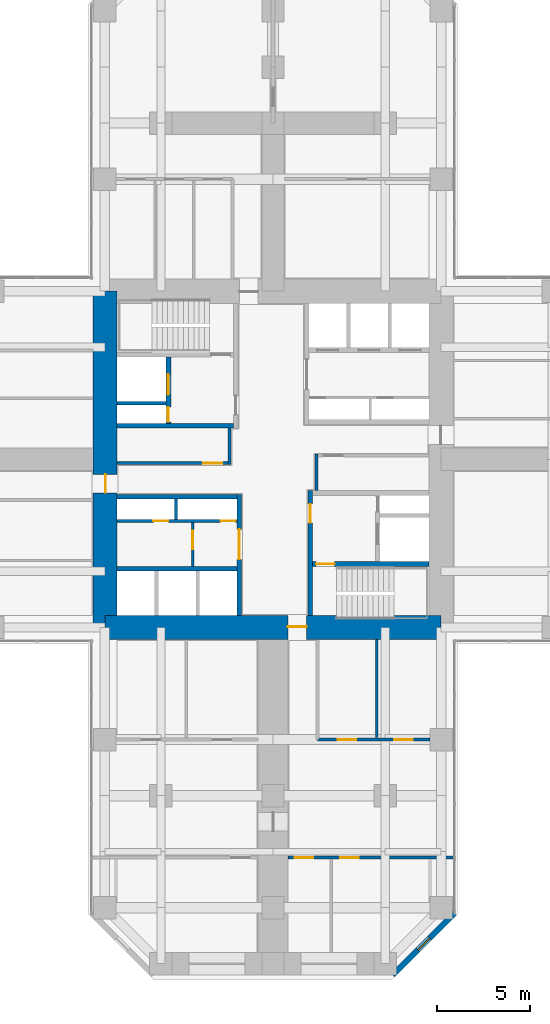
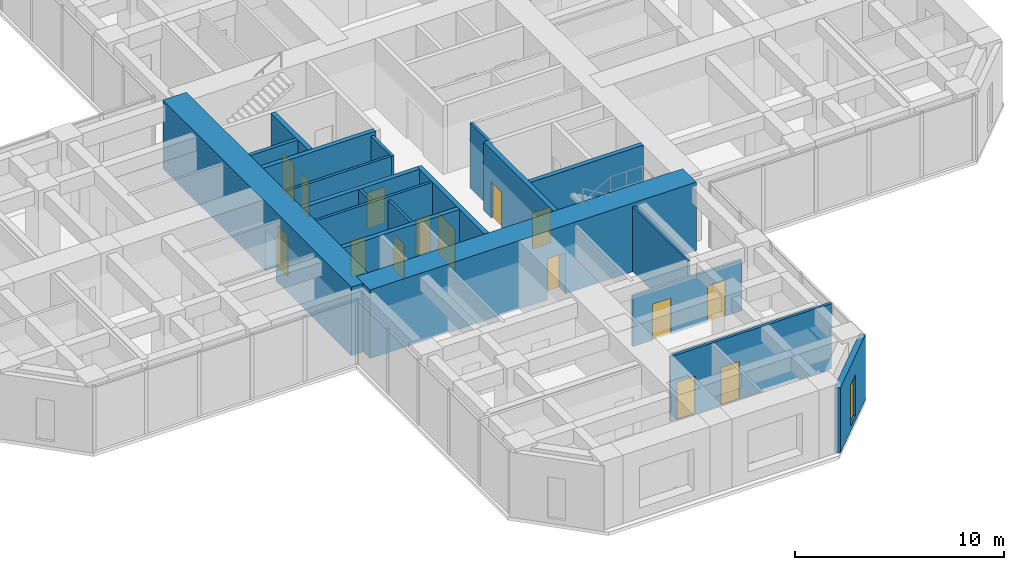
# One storey, part 9 of 13: 20 walls, 15 doors, 1 window, 16 openings.
"""IFC4 building model written with IfcOpenShell, lengths in metres."""

from ifc_helpers import new_model, si_unit, direction, frame, frame_2d, origin, place, context, subcontext, project, spatial, rectangle, hollow_rectangle, extrude, material, layer, layer_set, constituent, constituent_set, type_object, element, fill, save


model = new_model("IFC4")

# Units and contexts
model_context = context("Model", 3, precision=1e-05, world=origin(), true_north=direction((0.0, 1.0)))
body_context = subcontext(model_context, "Body", "Model", "MODEL_VIEW")
ifc_project = project(units=[si_unit("LENGTHUNIT", "METRE"), si_unit("AREAUNIT", "SQUARE_METRE"), si_unit("VOLUMEUNIT", "CUBIC_METRE"), si_unit("PLANEANGLEUNIT", "RADIAN"), si_unit("MASSUNIT", "GRAM", prefix="KILO")], contexts=[model_context])

# Site, building, storey
site_placement = place(None, origin())
site = spatial("IfcSite", under=ifc_project, at=site_placement, CompositionType="ELEMENT")
building_placement = place(site_placement, origin())
building = spatial("IfcBuilding", under=site, at=building_placement, Name="Torre Cruceta", CompositionType="ELEMENT")
storey_placement = place(building_placement, frame((0.0, 0.0, 51.5)))
storey = spatial("IfcBuildingStorey", under=building, at=storey_placement, Name="L12", CompositionType="ELEMENT", Elevation=51.5)

# Wall
ifc_material_1 = material(Name="Concrete G60 (fck 60 MPa)", Category="concrete")
ifc_layer_1 = layer(ifc_material_1, 0.25)
ifc_layer_set_1 = layer_set([ifc_layer_1], Name="Concrete G60 (fck 60 MPa)")
wall_type_1 = type_object("IfcWallType", Name="CORE INNER WALL 250 G60", PredefinedType="SHEAR", material=ifc_layer_set_1)
wall_1_placement = place(storey_placement, frame((-2.125, 1.800048828125, 0.0), z_axis=(0.0, 0.0, 1.0), x_axis=(-1.0, 0.0, 0.0)))
element("IfcWall", 1, at=wall_1_placement, inside=storey, type_object=wall_type_1, Name="CW4 L12 NW-CV", PredefinedType="SHEAR", context=body_context, shape_type="SweptSolid", body=[
    extrude(rectangle(XDim=6.22509765625, YDim=0.25, at=frame_2d((3.112548828125, 0.0))), origin(), (0.0, 0.0, 1.0), 4.0),
])

# Wall, openings, doors
wall_2_placement = place(storey_placement, frame((-5.60009765625, 1.925048828125, 0.0), z_axis=(0.0, 0.0, 1.0), x_axis=(0.0, 1.0, 0.0)))
wall_2 = element("IfcWall", 2, at=wall_2_placement, inside=storey, type_object=wall_type_1, Name="CW4 L12 NW-FU", PredefinedType="SHEAR", context=body_context, shape_type="SweptSolid", body=[
    extrude(rectangle(XDim=3.550048828125, YDim=0.25, at=frame_2d((1.77490234375, 0.0))), origin(), (0.0, 0.0, 1.0), 4.0),
])
opening_1_placement = place(wall_2_placement, frame((1.52490234375, 0.0, 0.0)))
opening_1 = element("IfcOpeningElement", 3, at=opening_1_placement, cuts=wall_2, Name="Opening LD1", PredefinedType="OPENING", context=body_context, shape_type="SweptSolid", body=[
    extrude(rectangle(XDim=1.10009765625, YDim=2.199951171875, at=frame_2d((0.550048828125, 1.10009765625))), frame((0.0, 0.135009765625, 0.0), z_axis=(0.0, -1.0, 0.0), x_axis=(1.0, 0.0, 0.0)), (0.0, 0.0, 1.0), 0.27001953125),
])
opening_2_placement = place(wall_2_placement, frame((0.074951171875, 0.0, 0.0)))
opening_2 = element("IfcOpeningElement", 4, at=opening_2_placement, cuts=wall_2, Name="Opening D5", PredefinedType="OPENING", context=body_context, shape_type="SweptSolid", body=[
    extrude(rectangle(XDim=0.800048828125, YDim=2.10009765625, at=frame_2d((0.39990234375, 1.050048828125))), frame((0.0, 0.135009765625, 0.0), z_axis=(0.0, -1.0, 0.0), x_axis=(1.0, 0.0, 0.0)), (0.0, 0.0, 1.0), 0.27001953125),
])
ifc_material_2 = material(Name="Stainless steel 1.4401", Category="steel")
door_type_1 = type_object("IfcDoorType", Name="LIFT LANDING DOOR 1100X2200", OperationType="DOUBLE_DOOR_SLIDING", PredefinedType="DOOR", material=ifc_material_2)
door_1_placement = place(opening_1_placement, origin())
door_1 = element("IfcDoor", 5, at=door_1_placement, inside=storey, type_object=door_type_1, Name="Lift landing door FL1", OperationType="DOUBLE_DOOR_SLIDING", OverallHeight=2.199951171875, OverallWidth=1.10009765625, PredefinedType="DOOR", context=body_context, shape_type="SweptSolid", body=[
    extrude(rectangle(XDim=1.10009765625, YDim=2.199951171875, at=frame_2d((0.550048828125, 1.10009765625))), frame((0.0, 0.02490234375, 0.0), z_axis=(0.0, -1.0, 0.0), x_axis=(1.0, 0.0, 0.0)), (0.0, 0.0, 1.0), 0.050048828125),
])
fill(opening_1, door_1)
ifc_material_3 = material(Name="Steel DX51D", Category="steel")
ifc_constituent_1 = constituent(ifc_material_3, Name="Leaf and frame")
ifc_material_4 = material(Name="Polyester powder coating", Category="paint")
ifc_constituent_2 = constituent(ifc_material_4, Name="Finish")
ifc_constituent_set_1 = constituent_set(constituents=[ifc_constituent_1, ifc_constituent_2], Name="Steel fire door")
door_type_2 = type_object("IfcDoorType", Name="RISER ACCESS DOOR 800X2100", OperationType="SINGLE_SWING_LEFT", PredefinedType="DOOR", material=ifc_constituent_set_1)
door_2_placement = place(opening_2_placement, origin())
door_2 = element("IfcDoor", 6, at=door_2_placement, inside=storey, type_object=door_type_2, Name="D5 L12 NW-RISER", OperationType="SINGLE_SWING_LEFT", OverallHeight=2.10009765625, OverallWidth=0.800048828125, PredefinedType="DOOR", context=body_context, shape_type="SweptSolid", body=[
    extrude(rectangle(XDim=0.800048828125, YDim=2.10009765625, at=frame_2d((0.39990234375, 1.050048828125))), frame((0.0, 0.02490234375, 0.0), z_axis=(0.0, -1.0, 0.0), x_axis=(1.0, 0.0, 0.0)), (0.0, 0.0, 1.0), 0.050048828125),
])
fill(opening_2, door_2)

# Wall, opening, door
wall_3_placement = place(storey_placement, frame((-1.800048828125, -1.875, 0.0), z_axis=(0.0, 0.0, 1.0), x_axis=(0.0, -1.0, 0.0)))
wall_3 = element("IfcWall", 7, at=wall_3_placement, inside=storey, type_object=wall_type_1, Name="CW4 L12 SW-CU", PredefinedType="SHEAR", context=body_context, shape_type="SweptSolid", body=[
    extrude(rectangle(XDim=6.47509765625, YDim=0.25, at=frame_2d((3.237548828125, 0.0))), origin(), (0.0, 0.0, 1.0), 4.0),
])
opening_3_placement = place(wall_3_placement, frame((1.875, 0.0, 0.0)))
opening_3 = element("IfcOpeningElement", 8, at=opening_3_placement, cuts=wall_3, Name="Opening D15", PredefinedType="OPENING", context=body_context, shape_type="SweptSolid", body=[
    extrude(rectangle(XDim=1.60009765625, YDim=2.39990234375, at=frame_2d((0.800048828125, 1.199951171875))), frame((0.0, 0.135009765625, 0.0), z_axis=(0.0, -1.0, 0.0), x_axis=(1.0, 0.0, 0.0)), (0.0, 0.0, 1.0), 0.27001953125),
])
ifc_material_5 = material(Name="Steel DX51D", Category="steel")
ifc_constituent_3 = constituent(ifc_material_5, Name="Leaf and frame")
ifc_material_6 = material(Name="Polyester powder coating", Category="paint")
ifc_constituent_4 = constituent(ifc_material_6, Name="Finish")
ifc_constituent_set_2 = constituent_set(constituents=[ifc_constituent_3, ifc_constituent_4], Name="Steel fire door")
door_type_3 = type_object("IfcDoorType", Name="CORE ROOM DOUBLE DOOR 1600X2400", OperationType="DOUBLE_DOOR_SINGLE_SWING", PredefinedType="DOOR", material=ifc_constituent_set_2)
door_3_placement = place(opening_3_placement, frame((1.60009765625, 0.0, 0.0), z_axis=(0.0, 0.0, 1.0), x_axis=(-1.0, 0.0, 0.0)))
door_3 = element("IfcDoor", 9, at=door_3_placement, inside=storey, type_object=door_type_3, Name="D15 L12 SW-LOBBY", OperationType="DOUBLE_DOOR_SINGLE_SWING", OverallHeight=2.39990234375, OverallWidth=1.60009765625, PredefinedType="DOOR", context=body_context, shape_type="SweptSolid", body=[
    extrude(rectangle(XDim=1.60009765625, YDim=2.39990234375, at=frame_2d((0.800048828125, 1.199951171875))), frame((0.0, 0.025146484375, 0.0), z_axis=(0.0, -1.0, 0.0), x_axis=(1.0, 0.0, 0.0)), (0.0, 0.0, 1.0), 0.050048828125),
])
fill(opening_3, door_3)

# Walls
for number, where, z_axis, x_axis, name in (
    (10, (-1.925048828125, -2.0, 0.0), (0.0, 0.0, 1.0), (-1.0, 0.0, 0.0), "CW4 L12 SW-CV"),
    (11, (-1.925048828125, -5.85009765625, 0.0), (0.0, 0.0, 1.0), (-1.0, 0.0, 0.0), "CW4 L12 SW-LV"),
):
    element("IfcWall", number, at=place(storey_placement, frame(where, z_axis=z_axis, x_axis=x_axis)), inside=storey, type_object=wall_type_1, Name=name, PredefinedType="SHEAR", context=body_context, shape_type="SweptSolid", body=[
        extrude(rectangle(XDim=6.425048828125, YDim=0.25, at=frame_2d((3.21240234375, 0.0))), origin(), (0.0, 0.0, 1.0), 4.0),
    ])

# Wall, opening, door
wall_4_placement = place(storey_placement, frame((2.0, -1.675048828125, 0.0), z_axis=(0.0, 0.0, 1.0), x_axis=(0.0, -1.0, 0.0)))
wall_4 = element("IfcWall", 12, at=wall_4_placement, inside=storey, type_object=wall_type_1, Name="CW4 L12 SE-CU", PredefinedType="SHEAR", context=body_context, shape_type="SweptSolid", body=[
    extrude(rectangle(XDim=6.675048828125, YDim=0.25, at=frame_2d((3.33740234375, 0.0))), origin(), (0.0, 0.0, 1.0), 4.0),
])
opening_4_placement = place(wall_4_placement, frame((0.72509765625, 0.0, 0.0)))
opening_4 = element("IfcOpeningElement", 13, at=opening_4_placement, cuts=wall_4, Name="Opening D3", PredefinedType="OPENING", context=body_context, shape_type="SweptSolid", body=[
    extrude(rectangle(XDim=1.0, YDim=2.10009765625, at=frame_2d((0.5, 1.050048828125))), frame((0.0, 0.135009765625, 0.0), z_axis=(0.0, -1.0, 0.0), x_axis=(1.0, 0.0, 0.0)), (0.0, 0.0, 1.0), 0.27001953125),
])
ifc_material_7 = material(Name="Steel DX51D", Category="steel")
ifc_constituent_5 = constituent(ifc_material_7, Name="Leaf and frame")
ifc_material_8 = material(Name="Polyester powder coating", Category="paint")
ifc_constituent_6 = constituent(ifc_material_8, Name="Finish")
ifc_constituent_set_3 = constituent_set(constituents=[ifc_constituent_5, ifc_constituent_6], Name="Steel fire door")
door_type_4 = type_object("IfcDoorType", Name="FIRE DOOR 1000X2100", OperationType="SINGLE_SWING_LEFT", PredefinedType="DOOR", material=ifc_constituent_set_3)
door_4_placement = place(opening_4_placement, origin())
door_4 = element("IfcDoor", 14, at=door_4_placement, inside=storey, type_object=door_type_4, Name="D3 L12 SE-LOBBY", OperationType="SINGLE_SWING_LEFT", OverallHeight=2.10009765625, OverallWidth=1.0, PredefinedType="DOOR", context=body_context, shape_type="SweptSolid", body=[
    extrude(rectangle(XDim=1.0, YDim=2.10009765625, at=frame_2d((0.5, 1.050048828125))), frame((0.0, 0.02490234375, 0.0), z_axis=(0.0, -1.0, 0.0), x_axis=(1.0, 0.0, 0.0)), (0.0, 0.0, 1.0), 0.050048828125),
])
fill(opening_4, door_4)

wall_5_placement = place(storey_placement, frame((2.125, -5.60009765625, 0.0), z_axis=(0.0, 0.0, 1.0), x_axis=(1.0, 0.0, 0.0)))
wall_5 = element("IfcWall", 15, at=wall_5_placement, inside=storey, type_object=wall_type_1, Name="CW4 L12 SE-SV", PredefinedType="SHEAR", context=body_context, shape_type="SweptSolid", body=[
    extrude(rectangle(XDim=6.22509765625, YDim=0.25, at=frame_2d((3.112548828125, 0.0))), origin(), (0.0, 0.0, 1.0), 4.0),
])
opening_5_placement = place(wall_5_placement, frame((0.175048828125, 0.0, 0.0)))
opening_5 = element("IfcOpeningElement", 16, at=opening_5_placement, cuts=wall_5, Name="Opening D3", PredefinedType="OPENING", context=body_context, shape_type="SweptSolid", body=[
    extrude(rectangle(XDim=1.0, YDim=2.10009765625, at=frame_2d((0.5, 1.050048828125))), frame((0.0, 0.135009765625, 0.0), z_axis=(0.0, -1.0, 0.0), x_axis=(1.0, 0.0, 0.0)), (0.0, 0.0, 1.0), 0.27001953125),
])
door_5_placement = place(opening_5_placement, frame((1.0, 0.0, 0.0), z_axis=(0.0, 0.0, 1.0), x_axis=(-1.0, 0.0, 0.0)))
door_5 = element("IfcDoor", 17, at=door_5_placement, inside=storey, type_object=door_type_4, Name="D3 L12 SE-STAIR", OperationType="SINGLE_SWING_RIGHT", OverallHeight=2.10009765625, OverallWidth=1.0, PredefinedType="DOOR", context=body_context, shape_type="SweptSolid", body=[
    extrude(rectangle(XDim=1.0, YDim=2.10009765625, at=frame_2d((0.5, 1.050048828125))), frame((0.0, 0.025146484375, 0.0), z_axis=(0.0, -1.0, 0.0), x_axis=(1.0, 0.0, 0.0)), (0.0, 0.0, 1.0), 0.050048828125),
])
fill(opening_5, door_5)

ifc_material_9 = material(Name="Concrete G60 (fck 60 MPa)", Category="concrete")
ifc_layer_2 = layer(ifc_material_9, 1.300048828125)
ifc_layer_set_2 = layer_set([ifc_layer_2], Name="Concrete G60 (fck 60 MPa)")
wall_type_2 = type_object("IfcWallType", Name="CORE WALL 1300 G60", PredefinedType="SHEAR", material=ifc_layer_set_2)
wall_6_placement = place(storey_placement, frame((-9.0, -9.0, 0.0), z_axis=(0.0, 0.0, 1.0), x_axis=(1.0, 0.0, 0.0)))
wall_6 = element("IfcWall", 18, at=wall_6_placement, inside=storey, type_object=wall_type_2, Name="CW1 L12 CW-S", PredefinedType="SHEAR", context=body_context, shape_type="SweptSolid", body=[
    extrude(rectangle(XDim=18.0, YDim=1.300048828125, at=frame_2d((9.0, 0.0))), origin(), (0.0, 0.0, 1.0), 4.0),
])
opening_6_placement = place(wall_6_placement, frame((9.800048828125, 0.0, 0.0)))
opening_6 = element("IfcOpeningElement", 19, at=opening_6_placement, cuts=wall_6, Name="Opening D4", PredefinedType="OPENING", context=body_context, shape_type="SweptSolid", body=[
    extrude(rectangle(XDim=1.0, YDim=2.39990234375, at=frame_2d((0.5, 1.199951171875))), frame((0.0, 0.659912109375, 0.0), z_axis=(0.0, -1.0, 0.0), x_axis=(1.0, 0.0, 0.0)), (0.0, 0.0, 1.0), 1.320068359375),
])
ifc_material_10 = material(Name="Steel DX51D", Category="steel")
ifc_constituent_7 = constituent(ifc_material_10, Name="Leaf and frame")
ifc_material_11 = material(Name="Polyester powder coating", Category="paint")
ifc_constituent_8 = constituent(ifc_material_11, Name="Finish")
ifc_constituent_set_4 = constituent_set(constituents=[ifc_constituent_7, ifc_constituent_8], Name="Steel fire door")
door_type_5 = type_object("IfcDoorType", Name="CORE ARM DOOR 1000X2400", OperationType="SINGLE_SWING_RIGHT", PredefinedType="DOOR", material=ifc_constituent_set_4)
door_6_placement = place(opening_6_placement, frame((1.0, 0.0, 0.0), z_axis=(0.0, 0.0, 1.0), x_axis=(-1.0, 0.0, 0.0)))
door_6 = element("IfcDoor", 20, at=door_6_placement, inside=storey, type_object=door_type_5, Name="D4 L12 CW-S", OperationType="SINGLE_SWING_RIGHT", OverallHeight=2.39990234375, OverallWidth=1.0, PredefinedType="DOOR", context=body_context, shape_type="SweptSolid", body=[
    extrude(rectangle(XDim=1.0, YDim=2.39990234375, at=frame_2d((0.5, 1.199951171875))), frame((0.0, -0.005126953125, 0.0), z_axis=(0.0, -1.0, 0.0), x_axis=(1.0, 0.0, 0.0)), (0.0, 0.0, 1.0), 0.050048828125),
])
fill(opening_6, door_6)

wall_7_placement = place(storey_placement, frame((-9.0, 9.0, 0.0), z_axis=(0.0, 0.0, 1.0), x_axis=(0.0, -1.0, 0.0)))
wall_7 = element("IfcWall", 21, at=wall_7_placement, inside=storey, type_object=wall_type_2, Name="CW1 L12 CW-W", PredefinedType="SHEAR", context=body_context, shape_type="SweptSolid", body=[
    extrude(rectangle(XDim=18.0, YDim=1.300048828125, at=frame_2d((9.0, 0.0))), origin(), (0.0, 0.0, 1.0), 4.0),
])
opening_7_placement = place(wall_7_placement, frame((9.800048828125, 0.0, 0.0)))
opening_7 = element("IfcOpeningElement", 22, at=opening_7_placement, cuts=wall_7, Name="Opening D4", PredefinedType="OPENING", context=body_context, shape_type="SweptSolid", body=[
    extrude(rectangle(XDim=1.0, YDim=2.39990234375, at=frame_2d((0.5, 1.199951171875))), frame((0.0, 0.659912109375, 0.0), z_axis=(0.0, -1.0, 0.0), x_axis=(1.0, 0.0, 0.0)), (0.0, 0.0, 1.0), 1.320068359375),
])
door_7_placement = place(opening_7_placement, frame((1.0, 0.0, 0.0), z_axis=(0.0, 0.0, 1.0), x_axis=(-1.0, 0.0, 0.0)))
door_7 = element("IfcDoor", 23, at=door_7_placement, inside=storey, type_object=door_type_5, Name="D4 L12 CW-W", OperationType="SINGLE_SWING_RIGHT", OverallHeight=2.39990234375, OverallWidth=1.0, PredefinedType="DOOR", context=body_context, shape_type="SweptSolid", body=[
    extrude(rectangle(XDim=1.0, YDim=2.39990234375, at=frame_2d((0.5, 1.199951171875))), frame((0.0, -0.005126953125, 0.0), z_axis=(0.0, -1.0, 0.0), x_axis=(1.0, 0.0, 0.0)), (0.0, 0.0, 1.0), 0.050048828125),
])
fill(opening_7, door_7)

# Wall, opening, window
ifc_material_12 = material(Name="Concrete G30 (fck 30 MPa)", Category="concrete")
ifc_layer_3 = layer(ifc_material_12, 0.300048828125)
ifc_layer_set_3 = layer_set([ifc_layer_3], Name="Concrete G30 (fck 30 MPa)")
wall_type_3 = type_object("IfcWallType", Name="EXPOSED CONCRETE FACADE WALL 300", PredefinedType="SOLIDWALL", material=ifc_layer_set_3)
wall_8_placement = place(storey_placement, frame((6.418212890625, -27.60009765625, 0.0), z_axis=(0.0, 0.0, 1.0), x_axis=(0.707106781187, 0.707106781187, 0.0)))
wall_8 = element("IfcWall", 24, at=wall_8_placement, inside=storey, type_object=wall_type_3, Name="EW1 facade wall L12 S chamfer 18", PredefinedType="SOLIDWALL", context=body_context, shape_type="SweptSolid", body=[
    extrude(rectangle(XDim=4.66943359375, YDim=0.300048828125, at=frame_2d((2.334716796875, 0.0))), origin(), (0.0, 0.0, 1.0), 3.800048828125),
])
opening_8_placement = place(wall_8_placement, frame((1.884765625, 0.0, 0.300048828125)))
opening_8 = element("IfcOpeningElement", 25, at=opening_8_placement, cuts=wall_8, Name="Opening WN5", PredefinedType="OPENING", context=body_context, shape_type="SweptSolid", body=[
    extrude(rectangle(XDim=0.89990234375, YDim=2.39990234375, at=frame_2d((0.449951171875, 1.199951171875))), frame((0.0, 0.159912109375, 0.0), z_axis=(0.0, -1.0, 0.0), x_axis=(1.0, 0.0, 0.0)), (0.0, 0.0, 1.0), 0.320068359375),
])
ifc_material_13 = material(Name="Aluminium window frame", Category="aluminium")
ifc_constituent_9 = constituent(ifc_material_13, Name="Frame")
ifc_material_14 = material(Name="Laminated insulating glass unit, low-iron clear", Category="glass")
ifc_constituent_10 = constituent(ifc_material_14, Name="Glazing")
ifc_constituent_set_5 = constituent_set(constituents=[ifc_constituent_9, ifc_constituent_10], Name="Aluminium window")
window_type = type_object("IfcWindowType", Name="CHAMFER SLOT WINDOW 900X2400", PartitioningType="SINGLE_PANEL", PredefinedType="WINDOW", material=ifc_constituent_set_5)
window_placement = place(opening_8_placement, origin())
window = element("IfcWindow", 26, at=window_placement, inside=storey, type_object=window_type, Name="WN5 L12 S 1", OverallHeight=2.39990234375, OverallWidth=0.89990234375, PartitioningType="SINGLE_PANEL", PredefinedType="WINDOW", context=body_context, shape_type="SweptSolid", body=[
    extrude(hollow_rectangle(XDim=0.89990234375, YDim=2.39990234375, WallThickness=0.06005859375, at=frame_2d((0.449951171875, 1.199951171875))), frame((0.0, 0.030029296875, 0.0), z_axis=(0.0, -1.0, 0.0), x_axis=(1.0, 0.0, 0.0)), (0.0, 0.0, 1.0), 0.06005859375),
    extrude(rectangle(XDim=0.77880859375, YDim=2.27880859375, at=frame_2d((0.449951171875, 1.199951171875))), frame((0.0, 0.030029296875, 0.0), z_axis=(0.0, -1.0, 0.0), x_axis=(1.0, 0.0, 0.0)), (0.0, 0.0, 1.0), 0.06005859375),
])
fill(opening_8, window)

# Walls
ifc_material_15 = material(Name="Concrete G35 (fck 35 MPa)", Category="concrete")
ifc_layer_4 = layer(ifc_material_15, 0.199951171875)
ifc_layer_set_4 = layer_set([ifc_layer_4], Name="Concrete G35 (fck 35 MPa)")
wall_type_4 = type_object("IfcWallType", Name="LIFT SHAFT WALL 200", PredefinedType="PARTITIONING", material=ifc_layer_set_4)
wall_9_placement = place(storey_placement, frame((-5.72509765625, 3.0, 0.0), z_axis=(0.0, 0.0, 1.0), x_axis=(-1.0, 0.0, 0.0)))
element("IfcWall", 27, at=wall_9_placement, inside=storey, type_object=wall_type_4, Name="SW1 L12 NW-FR", PredefinedType="PARTITIONING", context=body_context, shape_type="SweptSolid", body=[
    extrude(rectangle(XDim=2.625, YDim=0.199951171875, at=frame_2d((1.3125, 0.0))), origin(), (0.0, 0.0, 1.0), 4.0),
])
ifc_material_16 = material(Name="Plasterboard on steel studs", Category="steel")
ifc_layer_5 = layer(ifc_material_16, 0.14990234375)
ifc_layer_set_5 = layer_set([ifc_layer_5], Name="Plasterboard on steel studs")
wall_type_5 = type_object("IfcWallType", Name="PARTITION 150", PredefinedType="PARTITIONING", material=ifc_layer_set_5)
wall_10_placement = place(storey_placement, frame((2.324951171875, -1.675048828125, 0.0), z_axis=(0.0, 0.0, 1.0), x_axis=(0.0, 1.0, 0.0)))
element("IfcWall", 28, at=wall_10_placement, inside=storey, type_object=wall_type_5, Name="PT1 L12-CORE-LEGE-S-W2", PredefinedType="PARTITIONING", context=body_context, shape_type="SweptSolid", body=[
    extrude(rectangle(XDim=1.949951171875, YDim=0.14990234375, at=frame_2d((0.97509765625, 0.0))), origin(), (0.0, 0.0, 1.0), 3.800048828125),
])

# Wall, opening, door
wall_11_placement = place(storey_placement, frame((-2.324951171875, -0.199951171875, 0.0), z_axis=(0.0, 0.0, 1.0), x_axis=(-1.0, 0.0, 0.0)))
wall_11 = element("IfcWall", 29, at=wall_11_placement, inside=storey, type_object=wall_type_5, Name="PT1 L12-CORE-LEGW-N-W1", PredefinedType="PARTITIONING", context=body_context, shape_type="SweptSolid", body=[
    extrude(rectangle(XDim=6.025146484375, YDim=0.14990234375, at=frame_2d((3.0126953125, 0.0))), origin(), (0.0, 0.0, 1.0), 3.800048828125),
])
opening_9_placement = place(wall_11_placement, frame((0.39990234375, 0.0, 0.0)))
opening_9 = element("IfcOpeningElement", 30, at=opening_9_placement, cuts=wall_11, Name="Opening D3", PredefinedType="OPENING", context=body_context, shape_type="SweptSolid", body=[
    extrude(rectangle(XDim=1.0, YDim=2.10009765625, at=frame_2d((0.5, 1.050048828125))), frame((0.0, 0.0849609375, 0.0), z_axis=(0.0, -1.0, 0.0), x_axis=(1.0, 0.0, 0.0)), (0.0, 0.0, 1.0), 0.169921875),
])
door_8_placement = place(opening_9_placement, frame((1.0, 0.0, 0.0), z_axis=(0.0, 0.0, 1.0), x_axis=(-1.0, 0.0, 0.0)))
door_8 = element("IfcDoor", 31, at=door_8_placement, inside=storey, type_object=door_type_4, Name="D3 L12-CORE-LEGW-N-W1-D1", OperationType="SINGLE_SWING_RIGHT", OverallHeight=2.10009765625, OverallWidth=1.0, PredefinedType="DOOR", context=body_context, shape_type="SweptSolid", body=[
    extrude(rectangle(XDim=1.0, YDim=2.10009765625, at=frame_2d((0.5, 1.050048828125))), frame((0.0, 0.025146484375, 0.0), z_axis=(0.0, -1.0, 0.0), x_axis=(1.0, 0.0, 0.0)), (0.0, 0.0, 1.0), 0.050048828125),
])
fill(opening_9, door_8)

# Wall
wall_12_placement = place(storey_placement, frame((-2.324951171875, 1.675048828125, 0.0), z_axis=(0.0, 0.0, 1.0), x_axis=(0.0, -1.0, 0.0)))
element("IfcWall", 32, at=wall_12_placement, inside=storey, type_object=wall_type_5, Name="PT1 L12-CORE-LEGW-N-W2", PredefinedType="PARTITIONING", context=body_context, shape_type="SweptSolid", body=[
    extrude(rectangle(XDim=1.949951171875, YDim=0.14990234375, at=frame_2d((0.97509765625, 0.0))), origin(), (0.0, 0.0, 1.0), 3.800048828125),
])

# Wall, opening, door
wall_13_placement = place(storey_placement, frame((-4.300048828125, -3.375, 0.0), z_axis=(0.0, 0.0, 1.0), x_axis=(0.0, -1.0, 0.0)))
wall_13 = element("IfcWall", 33, at=wall_13_placement, inside=storey, type_object=wall_type_5, Name="PT1 L12-CORE-SW-X", PredefinedType="PARTITIONING", context=body_context, shape_type="SweptSolid", body=[
    extrude(rectangle(XDim=2.35009765625, YDim=0.14990234375, at=frame_2d((1.175048828125, 0.0))), origin(), (0.0, 0.0, 1.0), 3.800048828125),
])
opening_10_placement = place(wall_13_placement, frame((0.449951171875, 0.0, 0.0)))
opening_10 = element("IfcOpeningElement", 34, at=opening_10_placement, cuts=wall_13, Name="Opening D3", PredefinedType="OPENING", context=body_context, shape_type="SweptSolid", body=[
    extrude(rectangle(XDim=1.0, YDim=2.10009765625, at=frame_2d((0.5, 1.050048828125))), frame((0.0, 0.0849609375, 0.0), z_axis=(0.0, -1.0, 0.0), x_axis=(1.0, 0.0, 0.0)), (0.0, 0.0, 1.0), 0.169921875),
])
door_9_placement = place(opening_10_placement, origin())
door_9 = element("IfcDoor", 35, at=door_9_placement, inside=storey, type_object=door_type_4, Name="D3 L12-CORE-SW-X-D1", OperationType="SINGLE_SWING_LEFT", OverallHeight=2.10009765625, OverallWidth=1.0, PredefinedType="DOOR", context=body_context, shape_type="SweptSolid", body=[
    extrude(rectangle(XDim=1.0, YDim=2.10009765625, at=frame_2d((0.5, 1.050048828125))), frame((0.0, 0.02490234375, 0.0), z_axis=(0.0, -1.0, 0.0), x_axis=(1.0, 0.0, 0.0)), (0.0, 0.0, 1.0), 0.050048828125),
])
fill(opening_10, door_9)

# Wall, openings, doors
wall_14_placement = place(storey_placement, frame((2.375, -15.0, 0.0), z_axis=(0.0, 0.0, 1.0), x_axis=(1.0, 0.0, 0.0)))
wall_14 = element("IfcWall", 36, at=wall_14_placement, inside=storey, type_object=wall_type_5, Name="PT1 L12-S-BFL", PredefinedType="PARTITIONING", context=body_context, shape_type="SweptSolid", body=[
    extrude(rectangle(XDim=6.02490234375, YDim=0.14990234375, at=frame_2d((3.012451171875, 0.0))), origin(), (0.0, 0.0, 1.0), 2.949951171875),
])
opening_11_placement = place(wall_14_placement, frame((1.08984375, 0.0, 0.0)))
opening_11 = element("IfcOpeningElement", 37, at=opening_11_placement, cuts=wall_14, Name="Opening D3", PredefinedType="OPENING", context=body_context, shape_type="SweptSolid", body=[
    extrude(rectangle(XDim=1.0, YDim=2.10009765625, at=frame_2d((0.5, 1.050048828125))), frame((0.0, 0.0849609375, 0.0), z_axis=(0.0, -1.0, 0.0), x_axis=(1.0, 0.0, 0.0)), (0.0, 0.0, 1.0), 0.169921875),
])
opening_12_placement = place(wall_14_placement, frame((4.102294921875, 0.0, 0.0)))
opening_12 = element("IfcOpeningElement", 38, at=opening_12_placement, cuts=wall_14, Name="Opening D3", PredefinedType="OPENING", context=body_context, shape_type="SweptSolid", body=[
    extrude(rectangle(XDim=1.0, YDim=2.10009765625, at=frame_2d((0.5, 1.050048828125))), frame((0.0, 0.0849609375, 0.0), z_axis=(0.0, -1.0, 0.0), x_axis=(1.0, 0.0, 0.0)), (0.0, 0.0, 1.0), 0.169921875),
])
door_10_placement = place(opening_11_placement, origin())
door_10 = element("IfcDoor", 39, at=door_10_placement, inside=storey, type_object=door_type_4, Name="D3 L12-S-BFL-D1", OperationType="SINGLE_SWING_LEFT", OverallHeight=2.10009765625, OverallWidth=1.0, PredefinedType="DOOR", context=body_context, shape_type="SweptSolid", body=[
    extrude(rectangle(XDim=1.0, YDim=2.10009765625, at=frame_2d((0.5, 1.050048828125))), frame((0.0, 0.02490234375, 0.0), z_axis=(0.0, -1.0, 0.0), x_axis=(1.0, 0.0, 0.0)), (0.0, 0.0, 1.0), 0.050048828125),
])
fill(opening_11, door_10)
door_11_placement = place(opening_12_placement, origin())
door_11 = element("IfcDoor", 40, at=door_11_placement, inside=storey, type_object=door_type_4, Name="D3 L12-S-BFL-D2", OperationType="SINGLE_SWING_LEFT", OverallHeight=2.10009765625, OverallWidth=1.0, PredefinedType="DOOR", context=body_context, shape_type="SweptSolid", body=[
    extrude(rectangle(XDim=1.0, YDim=2.10009765625, at=frame_2d((0.5, 1.050048828125))), frame((0.0, 0.02490234375, 0.0), z_axis=(0.0, -1.0, 0.0), x_axis=(1.0, 0.0, 0.0)), (0.0, 0.0, 1.0), 0.050048828125),
])
fill(opening_12, door_11)

wall_15_placement = place(storey_placement, frame((0.800048828125, -21.320068359375, 0.0), z_axis=(0.0, 0.0, 1.0), x_axis=(1.0, 0.0, 0.0)))
wall_15 = element("IfcWall", 41, at=wall_15_placement, inside=storey, type_object=wall_type_5, Name="PT1 L12-S-TWL", PredefinedType="PARTITIONING", context=body_context, shape_type="SweptSolid", body=[
    extrude(rectangle(XDim=8.8798828125, YDim=0.14990234375, at=frame_2d((4.43994140625, 0.0))), origin(), (0.0, 0.0, 1.0), 3.800048828125),
])
opening_13_placement = place(wall_15_placement, frame((0.35009765625, 0.0, 0.0)))
opening_13 = element("IfcOpeningElement", 42, at=opening_13_placement, cuts=wall_15, Name="Opening D14", PredefinedType="OPENING", context=body_context, shape_type="SweptSolid", body=[
    extrude(rectangle(XDim=1.0, YDim=2.199951171875, at=frame_2d((0.5, 1.10009765625))), frame((0.0, 0.0849609375, 0.0), z_axis=(0.0, -1.0, 0.0), x_axis=(1.0, 0.0, 0.0)), (0.0, 0.0, 1.0), 0.169921875),
])
opening_14_placement = place(wall_15_placement, frame((2.79296875, 0.0, 0.0)))
opening_14 = element("IfcOpeningElement", 43, at=opening_14_placement, cuts=wall_15, Name="Opening D14", PredefinedType="OPENING", context=body_context, shape_type="SweptSolid", body=[
    extrude(rectangle(XDim=1.0, YDim=2.199951171875, at=frame_2d((0.5, 1.10009765625))), frame((0.0, 0.0849609375, 0.0), z_axis=(0.0, -1.0, 0.0), x_axis=(1.0, 0.0, 0.0)), (0.0, 0.0, 1.0), 0.169921875),
])
ifc_material_17 = material(Name="Steel DX51D", Category="steel")
ifc_constituent_11 = constituent(ifc_material_17, Name="Leaf and frame")
ifc_material_18 = material(Name="Polyester powder coating", Category="paint")
ifc_constituent_12 = constituent(ifc_material_18, Name="Finish")
ifc_material_19 = material(Name="Fire-resisting glass", Category="glass")
ifc_constituent_13 = constituent(ifc_material_19, Name="Vision panel")
ifc_constituent_set_6 = constituent_set(constituents=[ifc_constituent_11, ifc_constituent_12, ifc_constituent_13], Name="Steel fire door with vision panel")
door_type_6 = type_object("IfcDoorType", Name="FIRE DOOR VISION PANEL 1000X2200", OperationType="SINGLE_SWING_RIGHT", PredefinedType="DOOR", material=ifc_constituent_set_6)
door_12_placement = place(opening_13_placement, frame((1.0, 0.0, 0.0), z_axis=(0.0, 0.0, 1.0), x_axis=(-1.0, 0.0, 0.0)))
door_12 = element("IfcDoor", 44, at=door_12_placement, inside=storey, type_object=door_type_6, Name="D14 L12-S-TWL-D1", OperationType="SINGLE_SWING_RIGHT", OverallHeight=2.199951171875, OverallWidth=1.0, PredefinedType="DOOR", context=body_context, shape_type="SweptSolid", body=[
    extrude(rectangle(XDim=1.0, YDim=2.199951171875, at=frame_2d((0.5, 1.10009765625))), frame((0.0, 0.025146484375, 0.0), z_axis=(0.0, -1.0, 0.0), x_axis=(1.0, 0.0, 0.0)), (0.0, 0.0, 1.0), 0.050048828125),
])
fill(opening_13, door_12)
door_13_placement = place(opening_14_placement, frame((1.0, 0.0, 0.0), z_axis=(0.0, 0.0, 1.0), x_axis=(-1.0, 0.0, 0.0)))
door_13 = element("IfcDoor", 45, at=door_13_placement, inside=storey, type_object=door_type_6, Name="D14 L12-S-TWL-D2", OperationType="SINGLE_SWING_RIGHT", OverallHeight=2.199951171875, OverallWidth=1.0, PredefinedType="DOOR", context=body_context, shape_type="SweptSolid", body=[
    extrude(rectangle(XDim=1.0, YDim=2.199951171875, at=frame_2d((0.5, 1.10009765625))), frame((0.0, 0.025146484375, 0.0), z_axis=(0.0, -1.0, 0.0), x_axis=(1.0, 0.0, 0.0)), (0.0, 0.0, 1.0), 0.050048828125),
])
fill(opening_14, door_13)

ifc_material_20 = material(Name="Concrete block masonry", Category="masonry")
ifc_layer_6 = layer(ifc_material_20, 0.14990234375)
ifc_layer_set_6 = layer_set([ifc_layer_6], Name="Concrete block masonry")
wall_type_6 = type_object("IfcWallType", Name="RISER WALL 150", PredefinedType="PARTITIONING", material=ifc_layer_set_6)
wall_16_placement = place(storey_placement, frame((-1.925048828125, -3.300048828125, 0.0), z_axis=(0.0, 0.0, 1.0), x_axis=(-1.0, 0.0, 0.0)))
wall_16 = element("IfcWall", 46, at=wall_16_placement, inside=storey, type_object=wall_type_6, Name="SW7 L12 SW-RV", PredefinedType="PARTITIONING", context=body_context, shape_type="SweptSolid", body=[
    extrude(rectangle(XDim=6.425048828125, YDim=0.14990234375, at=frame_2d((3.21240234375, 0.0))), origin(), (0.0, 0.0, 1.0), 4.0),
])
opening_15_placement = place(wall_16_placement, frame((0.074951171875, 0.0, 0.0)))
opening_15 = element("IfcOpeningElement", 47, at=opening_15_placement, cuts=wall_16, Name="Opening D5", PredefinedType="OPENING", context=body_context, shape_type="SweptSolid", body=[
    extrude(rectangle(XDim=0.800048828125, YDim=2.10009765625, at=frame_2d((0.39990234375, 1.050048828125))), frame((0.0, 0.0849609375, 0.0), z_axis=(0.0, -1.0, 0.0), x_axis=(1.0, 0.0, 0.0)), (0.0, 0.0, 1.0), 0.169921875),
])
opening_16_placement = place(wall_16_placement, frame((3.675048828125, 0.0, 0.0)))
opening_16 = element("IfcOpeningElement", 48, at=opening_16_placement, cuts=wall_16, Name="Opening D5", PredefinedType="OPENING", context=body_context, shape_type="SweptSolid", body=[
    extrude(rectangle(XDim=0.800048828125, YDim=2.10009765625, at=frame_2d((0.39990234375, 1.050048828125))), frame((0.0, 0.0849609375, 0.0), z_axis=(0.0, -1.0, 0.0), x_axis=(1.0, 0.0, 0.0)), (0.0, 0.0, 1.0), 0.169921875),
])
door_14_placement = place(opening_15_placement, frame((0.800048828125, 0.0, 0.0), z_axis=(0.0, 0.0, 1.0), x_axis=(-1.0, 0.0, 0.0)))
door_14 = element("IfcDoor", 49, at=door_14_placement, inside=storey, type_object=door_type_2, Name="D5 L12 SW-RISER1", OperationType="SINGLE_SWING_RIGHT", OverallHeight=2.10009765625, OverallWidth=0.800048828125, PredefinedType="DOOR", context=body_context, shape_type="SweptSolid", body=[
    extrude(rectangle(XDim=0.800048828125, YDim=2.10009765625, at=frame_2d((0.400146484375, 1.050048828125))), frame((0.0, 0.025146484375, 0.0), z_axis=(0.0, -1.0, 0.0), x_axis=(1.0, 0.0, 0.0)), (0.0, 0.0, 1.0), 0.050048828125),
])
fill(opening_15, door_14)
door_15_placement = place(opening_16_placement, frame((0.800048828125, 0.0, 0.0), z_axis=(0.0, 0.0, 1.0), x_axis=(-1.0, 0.0, 0.0)))
door_15 = element("IfcDoor", 50, at=door_15_placement, inside=storey, type_object=door_type_2, Name="D5 L12 SW-RISER2", OperationType="SINGLE_SWING_RIGHT", OverallHeight=2.10009765625, OverallWidth=0.800048828125, PredefinedType="DOOR", context=body_context, shape_type="SweptSolid", body=[
    extrude(rectangle(XDim=0.800048828125, YDim=2.10009765625, at=frame_2d((0.400146484375, 1.050048828125))), frame((0.0, 0.025146484375, 0.0), z_axis=(0.0, -1.0, 0.0), x_axis=(1.0, 0.0, 0.0)), (0.0, 0.0, 1.0), 0.050048828125),
])
fill(opening_16, door_15)

# Walls
wall_17_placement = place(storey_placement, frame((-5.199951171875, -2.125, 0.0), z_axis=(0.0, 0.0, 1.0), x_axis=(0.0, -1.0, 0.0)))
element("IfcWall", 51, at=wall_17_placement, inside=storey, type_object=wall_type_6, Name="SW7 L12 SW-RU", PredefinedType="PARTITIONING", context=body_context, shape_type="SweptSolid", body=[
    extrude(rectangle(XDim=1.10009765625, YDim=0.14990234375, at=frame_2d((0.550048828125, 0.0))), origin(), (0.0, 0.0, 1.0), 4.0),
])
ifc_material_21 = material(Name="Plasterboard on steel studs", Category="steel")
ifc_layer_7 = layer(ifc_material_21, 0.1201171875)
ifc_layer_set_7 = layer_set([ifc_layer_7], Name="Plasterboard on steel studs")
wall_type_7 = type_object("IfcWallType", Name="WC PARTITION 120", PredefinedType="PLUMBINGWALL", material=ifc_layer_set_7)
wall_18_placement = place(storey_placement, frame((5.554931640625, -9.64990234375, 0.0), z_axis=(0.0, 0.0, 1.0), x_axis=(0.0, -1.0, 0.0)))
element("IfcWall", 52, at=wall_18_placement, inside=storey, type_object=wall_type_7, Name="PT5 L12-S-BDL1", PredefinedType="PLUMBINGWALL", context=body_context, shape_type="SweptSolid", body=[
    extrude(rectangle(XDim=5.25, YDim=0.1201171875, at=frame_2d((2.625, 0.0))), origin(), (0.0, 0.0, 1.0), 3.800048828125),
])

save(model, "model.ifc")
